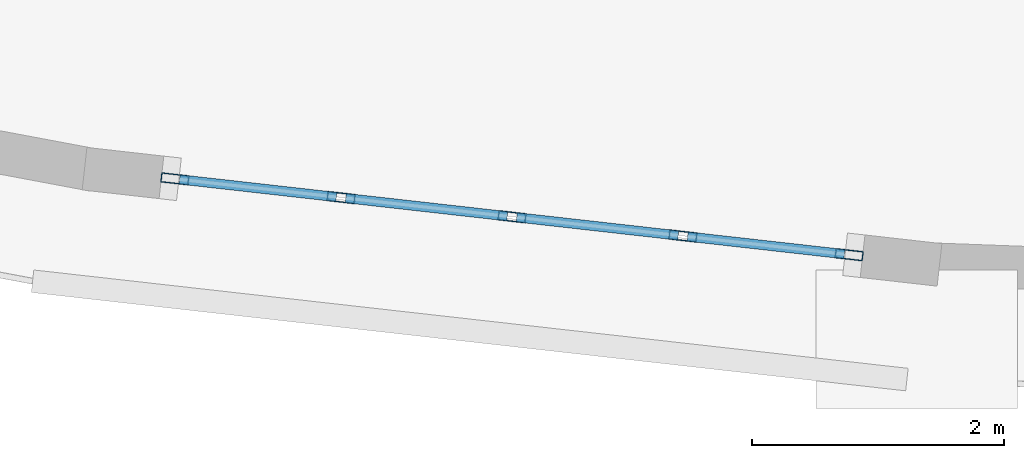
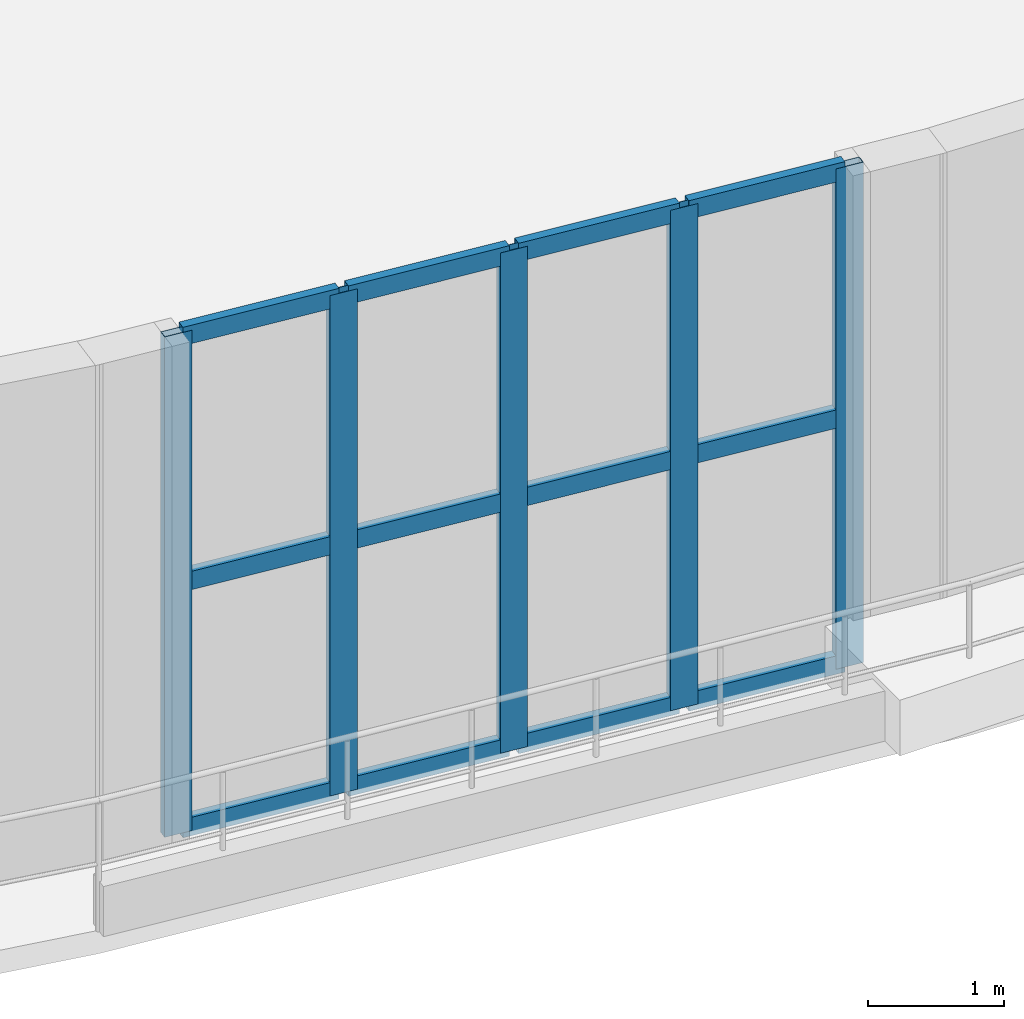
# One storey, part 4 of 23: 17 members, 1 element without a shape of its own.
"""IFC4 building model written with IfcOpenShell, lengths in metres."""

from ifc_helpers import new_model, si_unit, direction, frame, origin, origin_2d, place, context, subcontext, project, spatial, hollow_rectangle, extrude, material, layer, layer_set, material_profile, profile_set, type_object, element, aggregate, save


model = new_model("IFC4")

# Units and contexts
model_context = context("Model", 3, precision=1e-05, world=origin(), true_north=direction((0.0, 1.0)))
body_context = subcontext(model_context, "Body", "Model", "MODEL_VIEW")
ifc_project = project(units=[si_unit("LENGTHUNIT", "METRE"), si_unit("AREAUNIT", "SQUARE_METRE"), si_unit("VOLUMEUNIT", "CUBIC_METRE"), si_unit("PLANEANGLEUNIT", "RADIAN"), si_unit("MASSUNIT", "GRAM", prefix="KILO")], contexts=[model_context])

# Site, building, storey
site_placement = place(None, origin())
site = spatial("IfcSite", under=ifc_project, at=site_placement, CompositionType="ELEMENT")
building_placement = place(site_placement, origin())
building = spatial("IfcBuilding", under=site, at=building_placement, Name="Miruveldt Soraemaru", CompositionType="ELEMENT")
storey_placement = place(building_placement, frame((0.0, 0.0, 14.39990234375)))
storey = spatial("IfcBuildingStorey", under=building, at=storey_placement, Name="L04", CompositionType="ELEMENT", Elevation=14.39990234375)

# Curtain wall, members
ifc_material = material(Name="Anodised aluminium EN AW-6063 T6", Category="aluminium")
ifc_layer = layer(ifc_material, 0.219970703125, Name="Anodised aluminium EN AW-6063 T6", Category="aluminium")
ifc_layer_set = layer_set([ifc_layer], Name="Anodised aluminium EN AW-6063 T6")
curtain_wall_type = type_object("IfcCurtainWallType", Name="CW-SYS-2", PredefinedType="USERDEFINED", material=ifc_layer_set)
curtain_wall_placement = place(storey_placement, origin())
curtain_wall = element("IfcCurtainWall", 1, at=curtain_wall_placement, inside=storey, type_object=curtain_wall_type, Name="L04 Curtain Wall Bay 23", ObjectType="STOREFRONT", PredefinedType="USERDEFINED")
ifc_material_profile_1 = material_profile(ifc_material, hollow_rectangle(XDim=0.074951171875, YDim=0.219970703125, WallThickness=0.0048828125, at=origin_2d()), Name="Anodised aluminium EN AW-6063 T6", Category="aluminium")
ifc_profile_set_1 = profile_set([ifc_material_profile_1], Name="Anodised aluminium EN AW-6063 T6")
member_type_1 = type_object("IfcMemberType", Name="CWM-2", PredefinedType="MULLION", material=ifc_profile_set_1)
member_1_placement = place(storey_placement, frame((31.22509765625, 17.0849609375, 0.0), z_axis=(0.0, 0.0, 1.0), x_axis=(0.111789583755, 0.993731899943, 0.0)))
member_1 = element("IfcMember", 2, at=member_1_placement, type_object=member_type_1, Name="CW-2 mullion 1", PredefinedType="MULLION", context=body_context, shape_type="SweptSolid", body=[
    extrude(hollow_rectangle(XDim=0.074951171875, YDim=0.219970703125, WallThickness=0.0048828125, at=origin_2d()), origin(), (0.0, 0.0, 1.0), 4.5),
])
member_2_placement = place(storey_placement, frame((32.547119140625, 16.936279296875, 0.0), z_axis=(0.0, 0.0, 1.0), x_axis=(0.111789583755, 0.993731899943, 0.0)))
member_2 = element("IfcMember", 3, at=member_2_placement, type_object=member_type_1, Name="CW-2 mullion 2", PredefinedType="MULLION", context=body_context, shape_type="SweptSolid", body=[
    extrude(hollow_rectangle(XDim=0.074951171875, YDim=0.219970703125, WallThickness=0.0048828125, at=origin_2d()), origin(), (0.0, 0.0, 1.0), 4.5),
])
member_3_placement = place(storey_placement, frame((33.90625, 16.783447265625, 0.0), z_axis=(0.0, 0.0, 1.0), x_axis=(0.111789583755, 0.993731899943, 0.0)))
member_3 = element("IfcMember", 4, at=member_3_placement, type_object=member_type_1, Name="CW-2 mullion 3", PredefinedType="MULLION", context=body_context, shape_type="SweptSolid", body=[
    extrude(hollow_rectangle(XDim=0.074951171875, YDim=0.219970703125, WallThickness=0.0048828125, at=origin_2d()), origin(), (0.0, 0.0, 1.0), 4.5),
])
member_4_placement = place(storey_placement, frame((35.265380859375, 16.630615234375, 0.0), z_axis=(0.0, 0.0, 1.0), x_axis=(0.111789583755, 0.993731899943, 0.0)))
member_4 = element("IfcMember", 5, at=member_4_placement, type_object=member_type_1, Name="CW-2 mullion 4", PredefinedType="MULLION", context=body_context, shape_type="SweptSolid", body=[
    extrude(hollow_rectangle(XDim=0.074951171875, YDim=0.219970703125, WallThickness=0.0048828125, at=origin_2d()), origin(), (0.0, 0.0, 1.0), 4.5),
])
member_5_placement = place(storey_placement, frame((36.58740234375, 16.481689453125, 0.0), z_axis=(0.0, 0.0, 1.0), x_axis=(0.111789583755, 0.993731899943, 0.0)))
member_5 = element("IfcMember", 6, at=member_5_placement, type_object=member_type_1, Name="CW-2 mullion 5", PredefinedType="MULLION", context=body_context, shape_type="SweptSolid", body=[
    extrude(hollow_rectangle(XDim=0.074951171875, YDim=0.219970703125, WallThickness=0.0048828125, at=origin_2d()), origin(), (0.0, 0.0, 1.0), 4.5),
])
ifc_material_profile_2 = material_profile(ifc_material, hollow_rectangle(XDim=0.074951171875, YDim=0.1650390625, WallThickness=0.00390625, at=origin_2d()), Name="Anodised aluminium EN AW-6063 T6", Category="aluminium")
ifc_profile_set_2 = profile_set([ifc_material_profile_2], Name="Anodised aluminium EN AW-6063 T6")
member_type_2 = type_object("IfcMemberType", Name="CWT-2", PredefinedType="USERDEFINED", material=ifc_profile_set_2)
member_6_placement = place(storey_placement, frame((31.262451171875, 17.080810546875, 0.03759765625), z_axis=(0.993726183132, -0.111840390546, 0.0), x_axis=(0.111840390546, 0.993726183132, 0.0)))
member_6 = element("IfcMember", 7, at=member_6_placement, type_object=member_type_2, Name="CW-2 transom 1.1", ObjectType="TRANSOM", PredefinedType="USERDEFINED", context=body_context, shape_type="SweptSolid", body=[
    extrude(hollow_rectangle(XDim=0.074951171875, YDim=0.1650390625, WallThickness=0.00390625, at=origin_2d()), origin(), (0.0, 0.0, 1.0), 1.255126953125),
])
member_7_placement = place(storey_placement, frame((31.262451171875, 17.080810546875, 2.25), z_axis=(0.993726183132, -0.111840390546, 0.0), x_axis=(0.111840390546, 0.993726183132, 0.0)))
member_7 = element("IfcMember", 8, at=member_7_placement, type_object=member_type_2, Name="CW-2 transom 1.2", ObjectType="TRANSOM", PredefinedType="USERDEFINED", context=body_context, shape_type="SweptSolid", body=[
    extrude(hollow_rectangle(XDim=0.074951171875, YDim=0.1650390625, WallThickness=0.00390625, at=origin_2d()), origin(), (0.0, 0.0, 1.0), 1.255126953125),
])
member_8_placement = place(storey_placement, frame((31.262451171875, 17.080810546875, 4.462646484375), z_axis=(0.993726183132, -0.111840390546, 0.0), x_axis=(0.111840390546, 0.993726183132, 0.0)))
member_8 = element("IfcMember", 9, at=member_8_placement, type_object=member_type_2, Name="CW-2 transom 1.3", ObjectType="TRANSOM", PredefinedType="USERDEFINED", context=body_context, shape_type="SweptSolid", body=[
    extrude(hollow_rectangle(XDim=0.074951171875, YDim=0.1650390625, WallThickness=0.00390625, at=origin_2d()), origin(), (0.0, 0.0, 1.0), 1.255126953125),
])
member_9_placement = place(storey_placement, frame((32.584228515625, 16.93212890625, 0.03759765625), z_axis=(0.993730791644, -0.11179943532, 0.0), x_axis=(0.11179943532, 0.993730791644, 0.0)))
member_9 = element("IfcMember", 10, at=member_9_placement, type_object=member_type_2, Name="CW-2 transom 2.1", ObjectType="TRANSOM", PredefinedType="USERDEFINED", context=body_context, shape_type="SweptSolid", body=[
    extrude(hollow_rectangle(XDim=0.074951171875, YDim=0.1650390625, WallThickness=0.00390625, at=origin_2d()), origin(), (0.0, 0.0, 1.0), 1.292724609375),
])
member_10_placement = place(storey_placement, frame((32.584228515625, 16.93212890625, 2.25), z_axis=(0.993730791644, -0.11179943532, 0.0), x_axis=(0.11179943532, 0.993730791644, 0.0)))
member_10 = element("IfcMember", 11, at=member_10_placement, type_object=member_type_2, Name="CW-2 transom 2.2", ObjectType="TRANSOM", PredefinedType="USERDEFINED", context=body_context, shape_type="SweptSolid", body=[
    extrude(hollow_rectangle(XDim=0.074951171875, YDim=0.1650390625, WallThickness=0.00390625, at=origin_2d()), origin(), (0.0, 0.0, 1.0), 1.292724609375),
])
member_11_placement = place(storey_placement, frame((32.584228515625, 16.93212890625, 4.462646484375), z_axis=(0.993730791644, -0.11179943532, 0.0), x_axis=(0.11179943532, 0.993730791644, 0.0)))
member_11 = element("IfcMember", 12, at=member_11_placement, type_object=member_type_2, Name="CW-2 transom 2.3", ObjectType="TRANSOM", PredefinedType="USERDEFINED", context=body_context, shape_type="SweptSolid", body=[
    extrude(hollow_rectangle(XDim=0.074951171875, YDim=0.1650390625, WallThickness=0.00390625, at=origin_2d()), origin(), (0.0, 0.0, 1.0), 1.292724609375),
])
member_12_placement = place(storey_placement, frame((33.943603515625, 16.779296875, 0.03759765625), z_axis=(0.993730791644, -0.11179943532, 0.0), x_axis=(0.11179943532, 0.993730791644, 0.0)))
member_12 = element("IfcMember", 13, at=member_12_placement, type_object=member_type_2, Name="CW-2 transom 3.1", ObjectType="TRANSOM", PredefinedType="USERDEFINED", context=body_context, shape_type="SweptSolid", body=[
    extrude(hollow_rectangle(XDim=0.074951171875, YDim=0.1650390625, WallThickness=0.00390625, at=origin_2d()), origin(), (0.0, 0.0, 1.0), 1.292724609375),
])
member_13_placement = place(storey_placement, frame((33.943603515625, 16.779296875, 2.25), z_axis=(0.993730791644, -0.11179943532, 0.0), x_axis=(0.11179943532, 0.993730791644, 0.0)))
member_13 = element("IfcMember", 14, at=member_13_placement, type_object=member_type_2, Name="CW-2 transom 3.2", ObjectType="TRANSOM", PredefinedType="USERDEFINED", context=body_context, shape_type="SweptSolid", body=[
    extrude(hollow_rectangle(XDim=0.074951171875, YDim=0.1650390625, WallThickness=0.00390625, at=origin_2d()), origin(), (0.0, 0.0, 1.0), 1.292724609375),
])
member_14_placement = place(storey_placement, frame((33.943603515625, 16.779296875, 4.462646484375), z_axis=(0.993730791644, -0.11179943532, 0.0), x_axis=(0.11179943532, 0.993730791644, 0.0)))
member_14 = element("IfcMember", 15, at=member_14_placement, type_object=member_type_2, Name="CW-2 transom 3.3", ObjectType="TRANSOM", PredefinedType="USERDEFINED", context=body_context, shape_type="SweptSolid", body=[
    extrude(hollow_rectangle(XDim=0.074951171875, YDim=0.1650390625, WallThickness=0.00390625, at=origin_2d()), origin(), (0.0, 0.0, 1.0), 1.292724609375),
])
member_15_placement = place(storey_placement, frame((35.302734375, 16.626220703125, 0.03759765625), z_axis=(0.99374778208, -0.111648312177, 0.0), x_axis=(0.111648312177, 0.99374778208, 0.0)))
member_15 = element("IfcMember", 16, at=member_15_placement, type_object=member_type_2, Name="CW-2 transom 4.1", ObjectType="TRANSOM", PredefinedType="USERDEFINED", context=body_context, shape_type="SweptSolid", body=[
    extrude(hollow_rectangle(XDim=0.074951171875, YDim=0.1650390625, WallThickness=0.00390625, at=origin_2d()), origin(), (0.0, 0.0, 1.0), 1.255126953125),
])
member_16_placement = place(storey_placement, frame((35.302734375, 16.626220703125, 2.25), z_axis=(0.99374778208, -0.111648312177, 0.0), x_axis=(0.111648312177, 0.99374778208, 0.0)))
member_16 = element("IfcMember", 17, at=member_16_placement, type_object=member_type_2, Name="CW-2 transom 4.2", ObjectType="TRANSOM", PredefinedType="USERDEFINED", context=body_context, shape_type="SweptSolid", body=[
    extrude(hollow_rectangle(XDim=0.074951171875, YDim=0.1650390625, WallThickness=0.00390625, at=origin_2d()), origin(), (0.0, 0.0, 1.0), 1.255126953125),
])
member_17_placement = place(storey_placement, frame((35.302734375, 16.626220703125, 4.462646484375), z_axis=(0.99374778208, -0.111648312177, 0.0), x_axis=(0.111648312177, 0.99374778208, 0.0)))
member_17 = element("IfcMember", 18, at=member_17_placement, type_object=member_type_2, Name="CW-2 transom 4.3", ObjectType="TRANSOM", PredefinedType="USERDEFINED", context=body_context, shape_type="SweptSolid", body=[
    extrude(hollow_rectangle(XDim=0.074951171875, YDim=0.1650390625, WallThickness=0.00390625, at=origin_2d()), origin(), (0.0, 0.0, 1.0), 1.255126953125),
])
aggregate(curtain_wall, [member_1, member_2, member_3, member_4, member_5, member_6, member_7, member_8, member_9, member_10, member_11, member_12, member_13, member_14, member_15, member_16, member_17])

save(model, "model.ifc")
